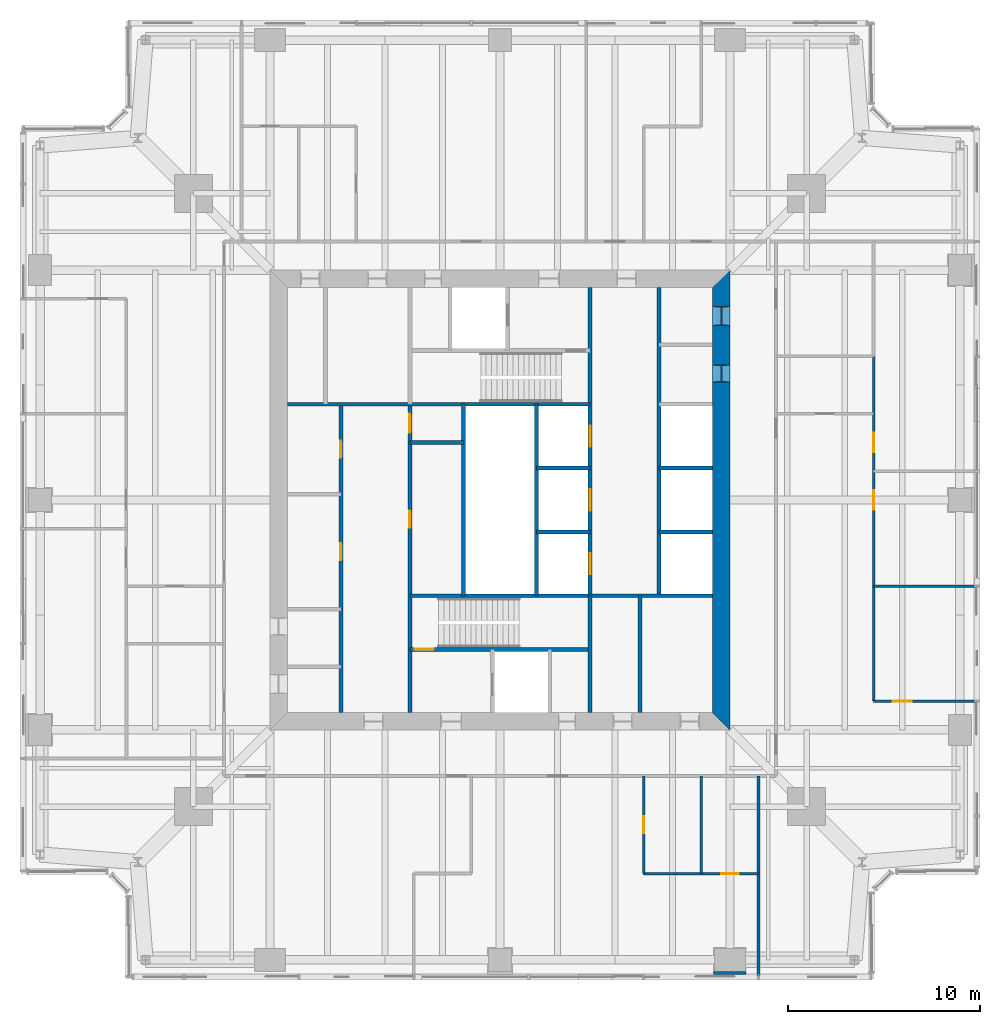
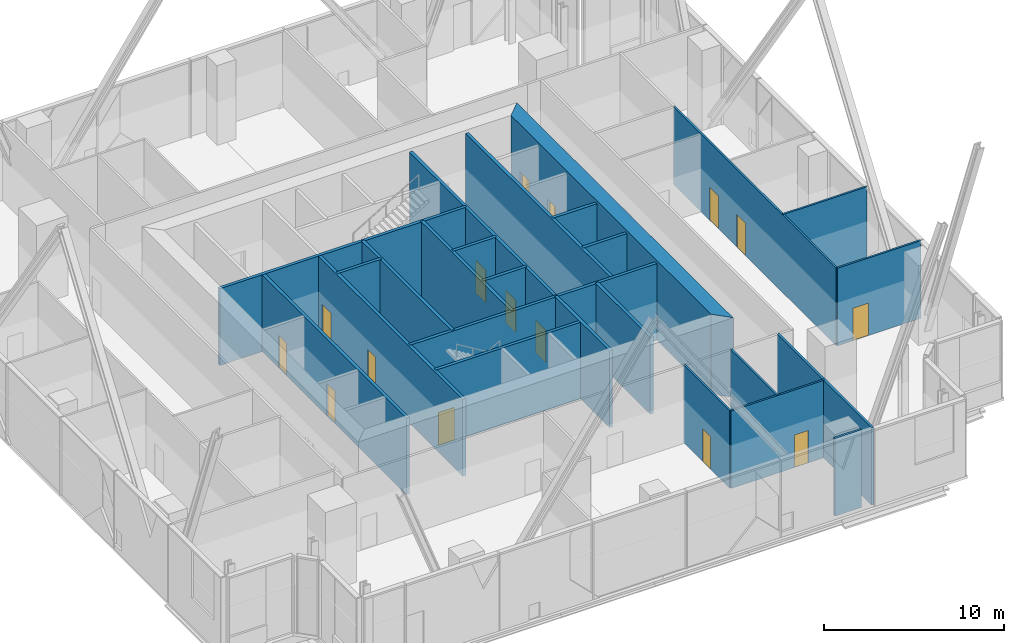
# One storey, part 10 of 14: 25 walls, 15 doors, 15 openings.
"""IFC4 building model written with IfcOpenShell, lengths in metres."""

from ifc_helpers import new_model, si_unit, direction, frame, frame_2d, origin, place, context, subcontext, project, spatial, polyline, rectangle, outline, extrude, material, layer, layer_set, type_object, element, fill, save


model = new_model("IFC4")

# Units and contexts
model_context = context("Model", 3, precision=1e-05, world=origin(), true_north=direction((0.0, 1.0)))
body_context = subcontext(model_context, "Body", "Model", "MODEL_VIEW")
ifc_project = project(units=[si_unit("LENGTHUNIT", "METRE"), si_unit("AREAUNIT", "SQUARE_METRE"), si_unit("VOLUMEUNIT", "CUBIC_METRE"), si_unit("PLANEANGLEUNIT", "RADIAN"), si_unit("MASSUNIT", "GRAM", prefix="KILO")], contexts=[model_context])

# Site, building, storey
site_placement = place(None, origin())
site = spatial("IfcSite", under=ifc_project, at=site_placement, CompositionType="ELEMENT")
building_placement = place(site_placement, origin())
building = spatial("IfcBuilding", under=site, at=building_placement, Name="Fenwick Lantern Interchange", CompositionType="ELEMENT")
storey_placement = place(building_placement, frame((0.0, 0.0, 168.39990234375)))
storey = spatial("IfcBuildingStorey", under=building, at=storey_placement, Name="L39", CompositionType="ELEMENT", Elevation=168.39990234375)

# Wall
ifc_material_1 = material(Name="Fire-rated gypsum board encasement on steel studs, 2 hour", Category="steel")
ifc_layer_1 = layer(ifc_material_1, 1.699951171875)
ifc_layer_set_1 = layer_set([ifc_layer_1], Name="COLUMN PIER 1700")
wall_type_1 = type_object("IfcWallType", Name="COLUMN PIER 1700", PredefinedType="PARTITIONING", material=ifc_layer_set_1)
wall_1_placement = place(storey_placement, frame((37.0, 0.25, 0.0), z_axis=(0.0, 0.0, 1.0), x_axis=(0.0, 1.0, 0.0)))
element("IfcWall", 1, at=wall_1_placement, inside=storey, type_object=wall_type_1, Name="L39/W/PIER/CS4", PredefinedType="PARTITIONING", context=body_context, shape_type="SweptSolid", body=[
    extrude(rectangle(XDim=0.14990234375, YDim=1.699951171875, at=frame_2d((0.074951171875, 0.0))), origin(), (0.0, 0.0, 1.0), 5.25),
])

# Wall, openings, doors
ifc_material_2 = material(Name="Concrete masonry ASTM C90 Grade N", Category="masonry")
ifc_layer_2 = layer(ifc_material_2, 0.199951171875)
ifc_layer_set_2 = layer_set([ifc_layer_2], Name="Concrete masonry ASTM C90 Grade N")
wall_type_2 = type_object("IfcWallType", Name="CORE PARTITION 200", PredefinedType="PARTITIONING", material=ifc_layer_set_2)
wall_2_placement = place(storey_placement, frame((16.699951171875, 13.89990234375, 0.0), z_axis=(0.0, 0.0, 1.0), x_axis=(0.0, 1.0, 0.0)))
wall_2 = element("IfcWall", 2, at=wall_2_placement, inside=storey, type_object=wall_type_2, Name="L39/W/CORES/a", PredefinedType="PARTITIONING", context=body_context, shape_type="SweptSolid", body=[
    extrude(rectangle(XDim=16.10009765625, YDim=0.199951171875, at=frame_2d((8.050048828125, 0.0))), origin(), (0.0, 0.0, 1.0), 5.2001953125),
])
opening_1_placement = place(wall_2_placement, frame((7.949951171875, 0.0, 0.0)))
opening_1 = element("IfcOpeningElement", 3, at=opening_1_placement, cuts=wall_2, Name="Opening L39-D009", PredefinedType="OPENING", context=body_context, shape_type="SweptSolid", body=[
    extrude(rectangle(XDim=0.89990234375, YDim=2.199951171875, at=frame_2d((0.449951171875, 1.10009765625))), frame((0.0, 0.10986328125, 0.0), z_axis=(0.0, -1.0, 0.0), x_axis=(1.0, 0.0, 0.0)), (0.0, 0.0, 1.0), 0.219970703125),
])
opening_2_placement = place(wall_2_placement, frame((13.300048828125, 0.0, 0.0)))
opening_2 = element("IfcOpeningElement", 4, at=opening_2_placement, cuts=wall_2, Name="Opening L39-D010", PredefinedType="OPENING", context=body_context, shape_type="SweptSolid", body=[
    extrude(rectangle(XDim=0.89990234375, YDim=2.199951171875, at=frame_2d((0.449951171875, 1.10009765625))), frame((0.0, 0.10986328125, 0.0), z_axis=(0.0, -1.0, 0.0), x_axis=(1.0, 0.0, 0.0)), (0.0, 0.0, 1.0), 0.219970703125),
])
ifc_material_3 = material(Name="Steel door and frame", Category="steel")
door_type_1 = type_object("IfcDoorType", Name="SERVICE DOOR 900 X 2200", OperationType="SINGLE_SWING_LEFT", PredefinedType="DOOR", material=ifc_material_3)
door_1_placement = place(opening_1_placement, frame((0.89990234375, 0.0, 0.0), z_axis=(0.0, 0.0, 1.0), x_axis=(-1.0, 0.0, 0.0)))
door_1 = element("IfcDoor", 5, at=door_1_placement, inside=storey, type_object=door_type_1, Name="Service door", OperationType="SINGLE_SWING_LEFT", OverallHeight=2.199951171875, OverallWidth=0.89990234375, PredefinedType="DOOR", context=body_context, shape_type="SweptSolid", body=[
    extrude(rectangle(XDim=0.89990234375, YDim=2.199951171875, at=frame_2d((0.449951171875, 1.10009765625))), frame((0.0, 0.02490234375, 0.0), z_axis=(0.0, -1.0, 0.0), x_axis=(1.0, 0.0, 0.0)), (0.0, 0.0, 1.0), 0.050048828125),
])
fill(opening_1, door_1)
door_2_placement = place(opening_2_placement, origin())
door_2 = element("IfcDoor", 6, at=door_2_placement, inside=storey, type_object=door_type_1, Name="Service door", OperationType="SINGLE_SWING_LEFT", OverallHeight=2.199951171875, OverallWidth=0.89990234375, PredefinedType="DOOR", context=body_context, shape_type="SweptSolid", body=[
    extrude(rectangle(XDim=0.89990234375, YDim=2.199951171875, at=frame_2d((0.449951171875, 1.10009765625))), frame((0.0, 0.02490234375, 0.0), z_axis=(0.0, -1.0, 0.0), x_axis=(1.0, 0.0, 0.0)), (0.0, 0.0, 1.0), 0.050048828125),
])
fill(opening_2, door_2)

# Walls
wall_3_placement = place(storey_placement, frame((23.10009765625, 20.0, 0.0), z_axis=(0.0, 0.0, 1.0), x_axis=(0.0, 1.0, 0.0)))
element("IfcWall", 7, at=wall_3_placement, inside=storey, type_object=wall_type_2, Name="L39/W/CORES/e3", PredefinedType="PARTITIONING", context=body_context, shape_type="SweptSolid", body=[
    extrude(rectangle(XDim=10.0, YDim=0.199951171875, at=frame_2d((5.0, 0.0))), origin(), (0.0, 0.0, 1.0), 5.2001953125),
])
wall_4_placement = place(storey_placement, frame((32.300048828125, 13.89990234375, 0.0), z_axis=(0.0, 0.0, 1.0), x_axis=(0.0, 1.0, 0.0)))
element("IfcWall", 8, at=wall_4_placement, inside=storey, type_object=wall_type_2, Name="L39/W/CORES/i2", PredefinedType="PARTITIONING", context=body_context, shape_type="SweptSolid", body=[
    extrude(rectangle(XDim=6.10009765625, YDim=0.199951171875, at=frame_2d((3.050048828125, 0.0))), origin(), (0.0, 0.0, 1.0), 5.2001953125),
])
wall_5_placement = place(storey_placement, frame((20.300048828125, 28.0, 0.0), z_axis=(0.0, 0.0, 1.0), x_axis=(1.0, 0.0, 0.0)))
element("IfcWall", 9, at=wall_5_placement, inside=storey, type_object=wall_type_2, Name="L39/W/CORES/q1", PredefinedType="PARTITIONING", context=body_context, shape_type="SweptSolid", body=[
    extrude(rectangle(XDim=2.800048828125, YDim=0.199951171875, at=frame_2d((1.39990234375, 0.0))), origin(), (0.0, 0.0, 1.0), 5.2001953125),
])
wall_6_placement = place(storey_placement, frame((33.300048828125, 36.10009765625, 0.0), z_axis=(0.0, 0.0, 1.0), x_axis=(0.0, -1.0, 0.0)))
element("IfcWall", 10, at=wall_6_placement, inside=storey, type_object=wall_type_2, Name="L39/W/COREN/a", PredefinedType="PARTITIONING", context=body_context, shape_type="SweptSolid", body=[
    extrude(rectangle(XDim=16.10009765625, YDim=0.199951171875, at=frame_2d((8.050048828125, 0.0))), origin(), (0.0, 0.0, 1.0), 5.2001953125),
])
for number, where, z_axis, x_axis, name in (
    (11, (36.10009765625, 26.666748046875, 0.0), (0.0, 0.0, 1.0), (-1.0, 0.0, 0.0), "L39/W/COREN/d1"),
    (12, (36.10009765625, 23.333251953125, 0.0), (0.0, 0.0, 1.0), (-1.0, 0.0, 0.0), "L39/W/COREN/d2"),
    (13, (29.699951171875, 26.666748046875, 0.0), (0.0, 0.0, 1.0), (-1.0, 0.0, 0.0), "L39/W/COREN/e1"),
    (14, (29.699951171875, 23.333251953125, 0.0), (0.0, 0.0, 1.0), (-1.0, 0.0, 0.0), "L39/W/COREN/e2"),
):
    element("IfcWall", number, at=place(storey_placement, frame(where, z_axis=z_axis, x_axis=x_axis)), inside=storey, type_object=wall_type_2, Name=name, PredefinedType="PARTITIONING", context=body_context, shape_type="SweptSolid", body=[
        extrude(rectangle(XDim=2.800048828125, YDim=0.199951171875, at=frame_2d((1.39990234375, 0.0))), origin(), (0.0, 0.0, 1.0), 5.2001953125),
    ])
wall_7_placement = place(storey_placement, frame((26.89990234375, 30.0, 0.0), z_axis=(0.0, 0.0, 1.0), x_axis=(0.0, -1.0, 0.0)))
element("IfcWall", 15, at=wall_7_placement, inside=storey, type_object=wall_type_2, Name="L39/W/COREN/e3", PredefinedType="PARTITIONING", context=body_context, shape_type="SweptSolid", body=[
    extrude(rectangle(XDim=10.0, YDim=0.199951171875, at=frame_2d((5.0, 0.0))), origin(), (0.0, 0.0, 1.0), 5.2001953125),
])

# Wall, openings, doors
ifc_material_4 = material(Name="Concrete f'c 70 MPa", Category="concrete")
ifc_layer_3 = layer(ifc_material_4, 0.89990234375)
ifc_layer_set_3 = layer_set([ifc_layer_3], Name="CORE WALL 900")
wall_type_3 = type_object("IfcWallType", Name="CORE WALL 900", PredefinedType="SHEAR", material=ifc_layer_set_3)
wall_8_placement = place(storey_placement, frame((36.550048828125, 13.89990234375, 0.0), z_axis=(0.0, 0.0, 1.0), x_axis=(0.0, 1.0, 0.0)))
wall_8 = element("IfcWall", 16, at=wall_8_placement, inside=storey, type_object=wall_type_3, Name="L39/CORE/E", PredefinedType="SHEAR", context=body_context, shape_type="SweptSolid", body=[
    extrude(outline(polyline([(-0.89990234375, -0.449951171875), (23.10009765625, -0.449951171875), (22.199951171875, 0.449951171875), (0.0, 0.449951171875), (-0.89990234375, -0.449951171875)])), origin(), (0.0, 0.0, 1.0), 5.400146484375),
])
opening_3_placement = place(wall_8_placement, frame((20.199951171875, 0.0, 0.0)))
opening_3 = element("IfcOpeningElement", 17, at=opening_3_placement, cuts=wall_8, Name="Opening L39-D019", PredefinedType="OPENING", context=body_context, shape_type="SweptSolid", body=[
    extrude(rectangle(XDim=1.0, YDim=2.199951171875, at=frame_2d((0.5, 1.10009765625))), frame((0.0, 0.4599609375, 0.0), z_axis=(0.0, -1.0, 0.0), x_axis=(1.0, 0.0, 0.0)), (0.0, 0.0, 1.0), 0.919921875),
])
opening_4_placement = place(wall_8_placement, frame((17.25, 0.0, 0.0)))
opening_4 = element("IfcOpeningElement", 18, at=opening_4_placement, cuts=wall_8, Name="Opening L39-D020", PredefinedType="OPENING", context=body_context, shape_type="SweptSolid", body=[
    extrude(rectangle(XDim=0.89990234375, YDim=2.199951171875, at=frame_2d((0.449951171875, 1.10009765625))), frame((0.0, 0.4599609375, 0.0), z_axis=(0.0, -1.0, 0.0), x_axis=(1.0, 0.0, 0.0)), (0.0, 0.0, 1.0), 0.919921875),
])
door_3_placement = place(opening_4_placement, origin())
door_3 = element("IfcDoor", 19, at=door_3_placement, inside=storey, type_object=door_type_1, Name="Service door", OperationType="SINGLE_SWING_RIGHT", OverallHeight=2.199951171875, OverallWidth=0.89990234375, PredefinedType="DOOR", context=body_context, shape_type="SweptSolid", body=[
    extrude(rectangle(XDim=0.89990234375, YDim=2.199951171875, at=frame_2d((0.449951171875, 1.10009765625))), frame((0.0, 0.02490234375, 0.0), z_axis=(0.0, -1.0, 0.0), x_axis=(1.0, 0.0, 0.0)), (0.0, 0.0, 1.0), 0.050048828125),
    extrude(outline(polyline([(0.0, 0.0), (0.0400390625, 0.0), (0.0400390625, 2.159912109375), (0.85986328125, 2.159912109375), (0.85986328125, 0.0), (0.89990234375, 0.0), (0.89990234375, 2.199951171875), (0.0, 2.199951171875), (0.0, 0.0)])), frame((0.0, 0.300048828125, 0.0), z_axis=(0.0, -1.0, 0.0), x_axis=(1.0, 0.0, 0.0)), (0.0, 0.0, 1.0), 0.60009765625),
])
fill(opening_4, door_3)
ifc_material_5 = material(Name="Hardwood door and steel frame", Category="steel")
door_type_2 = type_object("IfcDoorType", Name="WC DOOR 1000 X 2200", OperationType="SINGLE_SWING_LEFT", PredefinedType="DOOR", material=ifc_material_5)
door_4_placement = place(opening_3_placement, origin())
door_4 = element("IfcDoor", 20, at=door_4_placement, inside=storey, type_object=door_type_2, Name="Wc door", OperationType="SINGLE_SWING_LEFT", OverallHeight=2.199951171875, OverallWidth=1.0, PredefinedType="DOOR", context=body_context, shape_type="SweptSolid", body=[
    extrude(rectangle(XDim=1.0, YDim=2.199951171875, at=frame_2d((0.5, 1.10009765625))), frame((0.0, 0.02490234375, 0.0), z_axis=(0.0, -1.0, 0.0), x_axis=(1.0, 0.0, 0.0)), (0.0, 0.0, 1.0), 0.050048828125),
    extrude(outline(polyline([(0.0, 0.0), (0.0400390625, 0.0), (0.0400390625, 2.159912109375), (0.9599609375, 2.159912109375), (0.9599609375, 0.0), (1.0, 0.0), (1.0, 2.199951171875), (0.0, 2.199951171875), (0.0, 0.0)])), frame((0.0, 0.300048828125, 0.0), z_axis=(0.0, -1.0, 0.0), x_axis=(1.0, 0.0, 0.0)), (0.0, 0.0, 1.0), 0.60009765625),
])
fill(opening_3, door_4)

# Wall, opening, door
ifc_material_6 = material(Name="Gypsum board on steel studs, acoustic", Category="steel")
ifc_layer_4 = layer(ifc_material_6, 0.125)
ifc_layer_set_4 = layer_set([ifc_layer_4], Name="OFFICE PARTITION 125")
wall_type_4 = type_object("IfcWallType", Name="OFFICE PARTITION 125", PredefinedType="PARTITIONING", material=ifc_layer_set_4)
wall_9_placement = place(storey_placement, frame((32.5, 5.5, 0.0), z_axis=(0.0, 0.0, 1.0), x_axis=(0.0, 1.0, 0.0)))
wall_9 = element("IfcWall", 21, at=wall_9_placement, inside=storey, type_object=wall_type_4, Name="L39/W/OFF/S/X325-1", PredefinedType="PARTITIONING", context=body_context, shape_type="SweptSolid", body=[
    extrude(rectangle(XDim=5.10009765625, YDim=0.125, at=frame_2d((2.550048828125, 0.0))), origin(), (0.0, 0.0, 1.0), 5.25),
])
opening_5_placement = place(wall_9_placement, frame((2.10009765625, 0.0, 0.0)))
opening_5 = element("IfcOpeningElement", 22, at=opening_5_placement, cuts=wall_9, Name="Opening L39-D024", PredefinedType="OPENING", context=body_context, shape_type="SweptSolid", body=[
    extrude(rectangle(XDim=0.89990234375, YDim=2.199951171875, at=frame_2d((0.449951171875, 1.10009765625))), frame((0.0, 0.072509765625, 0.0), z_axis=(0.0, -1.0, 0.0), x_axis=(1.0, 0.0, 0.0)), (0.0, 0.0, 1.0), 0.14501953125),
])
door_type_3 = type_object("IfcDoorType", Name="OFFICE DOOR 900 X 2200", OperationType="SINGLE_SWING_LEFT", PredefinedType="DOOR", material=ifc_material_5)
door_5_placement = place(opening_5_placement, frame((0.89990234375, 0.0, 0.0), z_axis=(0.0, 0.0, 1.0), x_axis=(-1.0, 0.0, 0.0)))
door_5 = element("IfcDoor", 23, at=door_5_placement, inside=storey, type_object=door_type_3, Name="Office door", OperationType="SINGLE_SWING_RIGHT", OverallHeight=2.199951171875, OverallWidth=0.89990234375, PredefinedType="DOOR", context=body_context, shape_type="SweptSolid", body=[
    extrude(rectangle(XDim=0.89990234375, YDim=2.199951171875, at=frame_2d((0.449951171875, 1.10009765625))), frame((0.0, 0.02490234375, 0.0), z_axis=(0.0, -1.0, 0.0), x_axis=(1.0, 0.0, 0.0)), (0.0, 0.0, 1.0), 0.050048828125),
])
fill(opening_5, door_5)

# Wall
wall_10_placement = place(storey_placement, frame((35.5, 5.5, 0.0), z_axis=(0.0, 0.0, 1.0), x_axis=(0.0, 1.0, 0.0)))
element("IfcWall", 24, at=wall_10_placement, inside=storey, type_object=wall_type_4, Name="L39/W/OFF/S/X355-1", PredefinedType="PARTITIONING", context=body_context, shape_type="SweptSolid", body=[
    extrude(rectangle(XDim=5.10009765625, YDim=0.125, at=frame_2d((2.550048828125, 0.0))), origin(), (0.0, 0.0, 1.0), 5.25),
])

# Wall, opening, door
wall_11_placement = place(storey_placement, frame((32.5, 5.5, 0.0), z_axis=(0.0, 0.0, 1.0), x_axis=(1.0, 0.0, 0.0)))
wall_11 = element("IfcWall", 25, at=wall_11_placement, inside=storey, type_object=wall_type_4, Name="L39/W/OFF/S/Y55-2", PredefinedType="PARTITIONING", context=body_context, shape_type="SweptSolid", body=[
    extrude(rectangle(XDim=6.0, YDim=0.125, at=frame_2d((3.0, 0.0))), origin(), (0.0, 0.0, 1.0), 5.25),
])
opening_6_placement = place(wall_11_placement, frame((4.050048828125, 0.0, 0.0)))
opening_6 = element("IfcOpeningElement", 26, at=opening_6_placement, cuts=wall_11, Name="Opening L39-D025", PredefinedType="OPENING", context=body_context, shape_type="SweptSolid", body=[
    extrude(rectangle(XDim=0.89990234375, YDim=2.199951171875, at=frame_2d((0.449951171875, 1.10009765625))), frame((0.0, 0.072509765625, 0.0), z_axis=(0.0, -1.0, 0.0), x_axis=(1.0, 0.0, 0.0)), (0.0, 0.0, 1.0), 0.14501953125),
])
door_6_placement = place(opening_6_placement, origin())
door_6 = element("IfcDoor", 27, at=door_6_placement, inside=storey, type_object=door_type_3, Name="Office door", OperationType="SINGLE_SWING_LEFT", OverallHeight=2.199951171875, OverallWidth=0.89990234375, PredefinedType="DOOR", context=body_context, shape_type="SweptSolid", body=[
    extrude(rectangle(XDim=0.89990234375, YDim=2.199951171875, at=frame_2d((0.449951171875, 1.10009765625))), frame((0.0, 0.02490234375, 0.0), z_axis=(0.0, -1.0, 0.0), x_axis=(1.0, 0.0, 0.0)), (0.0, 0.0, 1.0), 0.050048828125),
])
fill(opening_6, door_6)

wall_12_placement = place(storey_placement, frame((49.85009765625, 14.5, 0.0), z_axis=(0.0, 0.0, 1.0), x_axis=(-1.0, 0.0, 0.0)))
wall_12 = element("IfcWall", 28, at=wall_12_placement, inside=storey, type_object=wall_type_4, Name="L39/W/OFF/E/X145-1", PredefinedType="PARTITIONING", context=body_context, shape_type="SweptSolid", body=[
    extrude(rectangle(XDim=5.35009765625, YDim=0.125, at=frame_2d((2.675048828125, 0.0))), origin(), (0.0, 0.0, 1.0), 5.25),
])
opening_7_placement = place(wall_12_placement, frame((3.35009765625, 0.0, 0.0)))
opening_7 = element("IfcOpeningElement", 29, at=opening_7_placement, cuts=wall_12, Name="Opening L39-D028", PredefinedType="OPENING", context=body_context, shape_type="SweptSolid", body=[
    extrude(rectangle(XDim=1.0, YDim=2.199951171875, at=frame_2d((0.5, 1.10009765625))), frame((0.0, 0.072509765625, 0.0), z_axis=(0.0, -1.0, 0.0), x_axis=(1.0, 0.0, 0.0)), (0.0, 0.0, 1.0), 0.14501953125),
])
door_type_4 = type_object("IfcDoorType", Name="MEETING ROOM DOOR 1000 X 2200", OperationType="SINGLE_SWING_LEFT", PredefinedType="DOOR", material=ifc_material_5)
door_7_placement = place(opening_7_placement, frame((1.0, 0.0, 0.0), z_axis=(0.0, 0.0, 1.0), x_axis=(-1.0, 0.0, 0.0)))
door_7 = element("IfcDoor", 30, at=door_7_placement, inside=storey, type_object=door_type_4, Name="Meeting room door", OperationType="SINGLE_SWING_LEFT", OverallHeight=2.199951171875, OverallWidth=1.0, PredefinedType="DOOR", context=body_context, shape_type="SweptSolid", body=[
    extrude(rectangle(XDim=1.0, YDim=2.199951171875, at=frame_2d((0.5, 1.10009765625))), frame((0.0, 0.02490234375, 0.0), z_axis=(0.0, -1.0, 0.0), x_axis=(1.0, 0.0, 0.0)), (0.0, 0.0, 1.0), 0.050048828125),
])
fill(opening_7, door_7)

# Wall
wall_13_placement = place(storey_placement, frame((49.85009765625, 20.5, 0.0), z_axis=(0.0, 0.0, 1.0), x_axis=(-1.0, 0.0, 0.0)))
element("IfcWall", 31, at=wall_13_placement, inside=storey, type_object=wall_type_4, Name="L39/W/OFF/E/X205-1", PredefinedType="PARTITIONING", context=body_context, shape_type="SweptSolid", body=[
    extrude(rectangle(XDim=5.35009765625, YDim=0.125, at=frame_2d((2.675048828125, 0.0))), origin(), (0.0, 0.0, 1.0), 5.25),
])

# Wall, openings, doors
wall_14_placement = place(storey_placement, frame((44.5, 14.5, 0.0), z_axis=(0.0, 0.0, 1.0), x_axis=(0.0, 1.0, 0.0)))
wall_14 = element("IfcWall", 32, at=wall_14_placement, inside=storey, type_object=wall_type_4, Name="L39/W/OFF/E/Y55-1", PredefinedType="PARTITIONING", context=body_context, shape_type="SweptSolid", body=[
    extrude(rectangle(XDim=18.0, YDim=0.125, at=frame_2d((9.0, 0.0))), origin(), (0.0, 0.0, 1.0), 5.25),
])
opening_8_placement = place(wall_14_placement, frame((10.0, 0.0, 0.0)))
opening_8 = element("IfcOpeningElement", 33, at=opening_8_placement, cuts=wall_14, Name="Opening L39-D029", PredefinedType="OPENING", context=body_context, shape_type="SweptSolid", body=[
    extrude(rectangle(XDim=1.0, YDim=2.199951171875, at=frame_2d((0.5, 1.10009765625))), frame((0.0, 0.072509765625, 0.0), z_axis=(0.0, -1.0, 0.0), x_axis=(1.0, 0.0, 0.0)), (0.0, 0.0, 1.0), 0.14501953125),
])
opening_9_placement = place(wall_14_placement, frame((13.0, 0.0, 0.0)))
opening_9 = element("IfcOpeningElement", 34, at=opening_9_placement, cuts=wall_14, Name="Opening L39-D030", PredefinedType="OPENING", context=body_context, shape_type="SweptSolid", body=[
    extrude(rectangle(XDim=1.0, YDim=2.199951171875, at=frame_2d((0.5, 1.10009765625))), frame((0.0, 0.072509765625, 0.0), z_axis=(0.0, -1.0, 0.0), x_axis=(1.0, 0.0, 0.0)), (0.0, 0.0, 1.0), 0.14501953125),
])
door_8_placement = place(opening_8_placement, frame((1.0, 0.0, 0.0), z_axis=(0.0, 0.0, 1.0), x_axis=(-1.0, 0.0, 0.0)))
door_8 = element("IfcDoor", 35, at=door_8_placement, inside=storey, type_object=door_type_4, Name="Meeting room door", OperationType="SINGLE_SWING_LEFT", OverallHeight=2.199951171875, OverallWidth=1.0, PredefinedType="DOOR", context=body_context, shape_type="SweptSolid", body=[
    extrude(rectangle(XDim=1.0, YDim=2.199951171875, at=frame_2d((0.5, 1.10009765625))), frame((0.0, 0.02490234375, 0.0), z_axis=(0.0, -1.0, 0.0), x_axis=(1.0, 0.0, 0.0)), (0.0, 0.0, 1.0), 0.050048828125),
])
fill(opening_8, door_8)
door_9_placement = place(opening_9_placement, frame((1.0, 0.0, 0.0), z_axis=(0.0, 0.0, 1.0), x_axis=(-1.0, 0.0, 0.0)))
door_9 = element("IfcDoor", 36, at=door_9_placement, inside=storey, type_object=door_type_4, Name="Meeting room door", OperationType="SINGLE_SWING_RIGHT", OverallHeight=2.199951171875, OverallWidth=1.0, PredefinedType="DOOR", context=body_context, shape_type="SweptSolid", body=[
    extrude(rectangle(XDim=1.0, YDim=2.199951171875, at=frame_2d((0.5, 1.10009765625))), frame((0.0, 0.02490234375, 0.0), z_axis=(0.0, -1.0, 0.0), x_axis=(1.0, 0.0, 0.0)), (0.0, 0.0, 1.0), 0.050048828125),
])
fill(opening_9, door_9)

ifc_material_7 = material(Name="Concrete f'c 45 MPa", Category="concrete")
ifc_layer_5 = layer(ifc_material_7, 0.199951171875)
ifc_layer_set_5 = layer_set([ifc_layer_5], Name="STAIR CORE WALL 200")
wall_type_5 = type_object("IfcWallType", Name="STAIR CORE WALL 200", PredefinedType="SOLIDWALL", material=ifc_layer_set_5)
wall_15_placement = place(storey_placement, frame((20.300048828125, 13.89990234375, 0.0), z_axis=(0.0, 0.0, 1.0), x_axis=(0.0, 1.0, 0.0)))
wall_15 = element("IfcWall", 37, at=wall_15_placement, inside=storey, type_object=wall_type_5, Name="L39/W/CORES/b", PredefinedType="SOLIDWALL", context=body_context, shape_type="SweptSolid", body=[
    extrude(rectangle(XDim=16.10009765625, YDim=0.199951171875, at=frame_2d((8.050048828125, 0.0))), origin(), (0.0, 0.0, 1.0), 5.2001953125),
])
opening_10_placement = place(wall_15_placement, frame((9.64990234375, 0.0, 0.0)))
opening_10 = element("IfcOpeningElement", 38, at=opening_10_placement, cuts=wall_15, Name="Opening L39-D011", PredefinedType="OPENING", context=body_context, shape_type="SweptSolid", body=[
    extrude(rectangle(XDim=0.89990234375, YDim=2.199951171875, at=frame_2d((0.449951171875, 1.10009765625))), frame((0.0, 0.10986328125, 0.0), z_axis=(0.0, -1.0, 0.0), x_axis=(1.0, 0.0, 0.0)), (0.0, 0.0, 1.0), 0.219970703125),
])
opening_11_placement = place(wall_15_placement, frame((14.60009765625, 0.0, 0.0)))
opening_11 = element("IfcOpeningElement", 39, at=opening_11_placement, cuts=wall_15, Name="Opening L39-D012", PredefinedType="OPENING", context=body_context, shape_type="SweptSolid", body=[
    extrude(rectangle(XDim=1.0, YDim=2.199951171875, at=frame_2d((0.5, 1.10009765625))), frame((0.0, 0.10986328125, 0.0), z_axis=(0.0, -1.0, 0.0), x_axis=(1.0, 0.0, 0.0)), (0.0, 0.0, 1.0), 0.219970703125),
])
door_10_placement = place(opening_10_placement, frame((0.89990234375, 0.0, 0.0), z_axis=(0.0, 0.0, 1.0), x_axis=(-1.0, 0.0, 0.0)))
door_10 = element("IfcDoor", 40, at=door_10_placement, inside=storey, type_object=door_type_1, Name="Service door", OperationType="SINGLE_SWING_RIGHT", OverallHeight=2.199951171875, OverallWidth=0.89990234375, PredefinedType="DOOR", context=body_context, shape_type="SweptSolid", body=[
    extrude(rectangle(XDim=0.89990234375, YDim=2.199951171875, at=frame_2d((0.449951171875, 1.10009765625))), frame((0.0, 0.02490234375, 0.0), z_axis=(0.0, -1.0, 0.0), x_axis=(1.0, 0.0, 0.0)), (0.0, 0.0, 1.0), 0.050048828125),
])
fill(opening_10, door_10)
door_11_placement = place(opening_11_placement, frame((1.0, 0.0, 0.0), z_axis=(0.0, 0.0, 1.0), x_axis=(-1.0, 0.0, 0.0)))
door_11 = element("IfcDoor", 41, at=door_11_placement, inside=storey, type_object=door_type_2, Name="Wc door", OperationType="SINGLE_SWING_RIGHT", OverallHeight=2.199951171875, OverallWidth=1.0, PredefinedType="DOOR", context=body_context, shape_type="SweptSolid", body=[
    extrude(rectangle(XDim=1.0, YDim=2.199951171875, at=frame_2d((0.5, 1.10009765625))), frame((0.0, 0.02490234375, 0.0), z_axis=(0.0, -1.0, 0.0), x_axis=(1.0, 0.0, 0.0)), (0.0, 0.0, 1.0), 0.050048828125),
])
fill(opening_11, door_11)

# Wall, opening, door
wall_16_placement = place(storey_placement, frame((20.300048828125, 17.199951171875, 0.0), z_axis=(0.0, 0.0, 1.0), x_axis=(1.0, 0.0, 0.0)))
wall_16 = element("IfcWall", 42, at=wall_16_placement, inside=storey, type_object=wall_type_5, Name="L39/W/CORES/g1", PredefinedType="SOLIDWALL", context=body_context, shape_type="SweptSolid", body=[
    extrude(rectangle(XDim=9.39990234375, YDim=0.199951171875, at=frame_2d((4.699951171875, 0.0))), origin(), (0.0, 0.0, 1.0), 5.2001953125),
])
opening_12_placement = place(wall_16_placement, frame((0.25, 0.0, 0.0)))
opening_12 = element("IfcOpeningElement", 43, at=opening_12_placement, cuts=wall_16, Name="Opening L39-D003", PredefinedType="OPENING", context=body_context, shape_type="SweptSolid", body=[
    extrude(rectangle(XDim=1.0, YDim=2.199951171875, at=frame_2d((0.5, 1.10009765625))), frame((0.0, 0.10986328125, 0.0), z_axis=(0.0, -1.0, 0.0), x_axis=(1.0, 0.0, 0.0)), (0.0, 0.0, 1.0), 0.219970703125),
])
door_type_5 = type_object("IfcDoorType", Name="STAIR DOOR 1000 X 2200", OperationType="SINGLE_SWING_LEFT", PredefinedType="DOOR", material=ifc_material_3)
door_12_placement = place(opening_12_placement, origin())
door_12 = element("IfcDoor", 44, at=door_12_placement, inside=storey, type_object=door_type_5, Name="Stair door", OperationType="SINGLE_SWING_LEFT", OverallHeight=2.199951171875, OverallWidth=1.0, PredefinedType="DOOR", context=body_context, shape_type="SweptSolid", body=[
    extrude(rectangle(XDim=1.0, YDim=2.199951171875, at=frame_2d((0.5, 1.10009765625))), frame((0.0, 0.02490234375, 0.0), z_axis=(0.0, -1.0, 0.0), x_axis=(1.0, 0.0, 0.0)), (0.0, 0.0, 1.0), 0.050048828125),
])
fill(opening_12, door_12)

# Walls
wall_17_placement = place(storey_placement, frame((20.300048828125, 20.0, 0.0), z_axis=(0.0, 0.0, 1.0), x_axis=(1.0, 0.0, 0.0)))
element("IfcWall", 45, at=wall_17_placement, inside=storey, type_object=wall_type_5, Name="L39/W/CORES/g2", PredefinedType="SOLIDWALL", context=body_context, shape_type="SweptSolid", body=[
    extrude(rectangle(XDim=15.800048828125, YDim=0.199951171875, at=frame_2d((7.89990234375, 0.0))), origin(), (0.0, 0.0, 1.0), 5.2001953125),
])
wall_18_placement = place(storey_placement, frame((29.699951171875, 13.89990234375, 0.0), z_axis=(0.0, 0.0, 1.0), x_axis=(0.0, 1.0, 0.0)))
element("IfcWall", 46, at=wall_18_placement, inside=storey, type_object=wall_type_5, Name="L39/W/CORES/i1", PredefinedType="SOLIDWALL", context=body_context, shape_type="SweptSolid", body=[
    extrude(rectangle(XDim=6.10009765625, YDim=0.199951171875, at=frame_2d((3.050048828125, 0.0))), origin(), (0.0, 0.0, 1.0), 5.2001953125),
])

# Wall, openings, doors
wall_19_placement = place(storey_placement, frame((29.699951171875, 36.10009765625, 0.0), z_axis=(0.0, 0.0, 1.0), x_axis=(0.0, -1.0, 0.0)))
wall_19 = element("IfcWall", 47, at=wall_19_placement, inside=storey, type_object=wall_type_5, Name="L39/W/COREN/b", PredefinedType="SOLIDWALL", context=body_context, shape_type="SweptSolid", body=[
    extrude(rectangle(XDim=16.10009765625, YDim=0.199951171875, at=frame_2d((8.050048828125, 0.0))), origin(), (0.0, 0.0, 1.0), 5.2001953125),
])
opening_13_placement = place(wall_19_placement, frame((7.216552734375, 0.0, 0.0)))
opening_13 = element("IfcOpeningElement", 48, at=opening_13_placement, cuts=wall_19, Name="Opening LD-E2-1", PredefinedType="OPENING", context=body_context, shape_type="SweptSolid", body=[
    extrude(rectangle(XDim=1.10009765625, YDim=2.199951171875, at=frame_2d((0.550048828125, 1.10009765625))), frame((0.0, 0.10986328125, 0.0), z_axis=(0.0, -1.0, 0.0), x_axis=(1.0, 0.0, 0.0)), (0.0, 0.0, 1.0), 0.219970703125),
])
opening_14_placement = place(wall_19_placement, frame((10.550048828125, 0.0, 0.0)))
opening_14 = element("IfcOpeningElement", 49, at=opening_14_placement, cuts=wall_19, Name="Opening LD-E2-2", PredefinedType="OPENING", context=body_context, shape_type="SweptSolid", body=[
    extrude(rectangle(XDim=1.10009765625, YDim=2.199951171875, at=frame_2d((0.550048828125, 1.10009765625))), frame((0.0, 0.10986328125, 0.0), z_axis=(0.0, -1.0, 0.0), x_axis=(1.0, 0.0, 0.0)), (0.0, 0.0, 1.0), 0.219970703125),
])
opening_15_placement = place(wall_19_placement, frame((13.88330078125, 0.0, 0.0)))
opening_15 = element("IfcOpeningElement", 50, at=opening_15_placement, cuts=wall_19, Name="Opening LD-E2-3", PredefinedType="OPENING", context=body_context, shape_type="SweptSolid", body=[
    extrude(rectangle(XDim=1.10009765625, YDim=2.199951171875, at=frame_2d((0.550048828125, 1.10009765625))), frame((0.0, 0.10986328125, 0.0), z_axis=(0.0, -1.0, 0.0), x_axis=(1.0, 0.0, 0.0)), (0.0, 0.0, 1.0), 0.219970703125),
])
door_type_6 = type_object("IfcDoorType", Name="LIFT LANDING DOOR 1100 X 2200", OperationType="DOUBLE_DOOR_SLIDING", PredefinedType="DOOR", material=ifc_material_3)
door_13_placement = place(opening_13_placement, origin())
door_13 = element("IfcDoor", 51, at=door_13_placement, inside=storey, type_object=door_type_6, Name="Lift landing door E2-1", OperationType="DOUBLE_DOOR_SLIDING", OverallHeight=2.199951171875, OverallWidth=1.10009765625, PredefinedType="DOOR", context=body_context, shape_type="SweptSolid", body=[
    extrude(rectangle(XDim=1.10009765625, YDim=2.199951171875, at=frame_2d((0.550048828125, 1.10009765625))), frame((0.0, 0.02490234375, 0.0), z_axis=(0.0, -1.0, 0.0), x_axis=(1.0, 0.0, 0.0)), (0.0, 0.0, 1.0), 0.050048828125),
])
fill(opening_13, door_13)
door_14_placement = place(opening_14_placement, origin())
door_14 = element("IfcDoor", 52, at=door_14_placement, inside=storey, type_object=door_type_6, Name="Lift landing door E2-2", OperationType="DOUBLE_DOOR_SLIDING", OverallHeight=2.199951171875, OverallWidth=1.10009765625, PredefinedType="DOOR", context=body_context, shape_type="SweptSolid", body=[
    extrude(rectangle(XDim=1.10009765625, YDim=2.199951171875, at=frame_2d((0.550048828125, 1.10009765625))), frame((0.0, 0.02490234375, 0.0), z_axis=(0.0, -1.0, 0.0), x_axis=(1.0, 0.0, 0.0)), (0.0, 0.0, 1.0), 0.050048828125),
])
fill(opening_14, door_14)
door_15_placement = place(opening_15_placement, origin())
door_15 = element("IfcDoor", 53, at=door_15_placement, inside=storey, type_object=door_type_6, Name="Lift landing door E2-3", OperationType="DOUBLE_DOOR_SLIDING", OverallHeight=2.199951171875, OverallWidth=1.10009765625, PredefinedType="DOOR", context=body_context, shape_type="SweptSolid", body=[
    extrude(rectangle(XDim=1.10009765625, YDim=2.199951171875, at=frame_2d((0.550048828125, 1.10009765625))), frame((0.0, 0.02490234375, 0.0), z_axis=(0.0, -1.0, 0.0), x_axis=(1.0, 0.0, 0.0)), (0.0, 0.0, 1.0), 0.050048828125),
])
fill(opening_15, door_15)

# Walls
wall_20_placement = place(storey_placement, frame((29.699951171875, 30.0, 0.0), z_axis=(0.0, 0.0, 1.0), x_axis=(-1.0, 0.0, 0.0)))
element("IfcWall", 54, at=wall_20_placement, inside=storey, type_object=wall_type_5, Name="L39/W/COREN/g2", PredefinedType="SOLIDWALL", context=body_context, shape_type="SweptSolid", body=[
    extrude(rectangle(XDim=15.800048828125, YDim=0.199951171875, at=frame_2d((7.89990234375, 0.0))), origin(), (0.0, 0.0, 1.0), 5.2001953125),
])
ifc_material_8 = material(Name="Gypsum board on steel studs, 1 hour acoustic", Category="steel")
ifc_layer_6 = layer(ifc_material_8, 0.14990234375)
ifc_layer_set_6 = layer_set([ifc_layer_6], Name="TENANT WALL 150")
wall_type_6 = type_object("IfcWallType", Name="TENANT WALL 150", PredefinedType="PARTITIONING", material=ifc_layer_set_6)
wall_21_placement = place(storey_placement, frame((38.5, 0.14990234375, 0.0), z_axis=(0.0, 0.0, 1.0), x_axis=(0.0, 1.0, 0.0)))
element("IfcWall", 55, at=wall_21_placement, inside=storey, type_object=wall_type_6, Name="L39/W/OFF/E/BACK", PredefinedType="PARTITIONING", context=body_context, shape_type="SweptSolid", body=[
    extrude(rectangle(XDim=10.4501953125, YDim=0.14990234375, at=frame_2d((5.22509765625, 0.0))), origin(), (0.0, 0.0, 1.0), 5.25),
])

save(model, "model.ifc")
